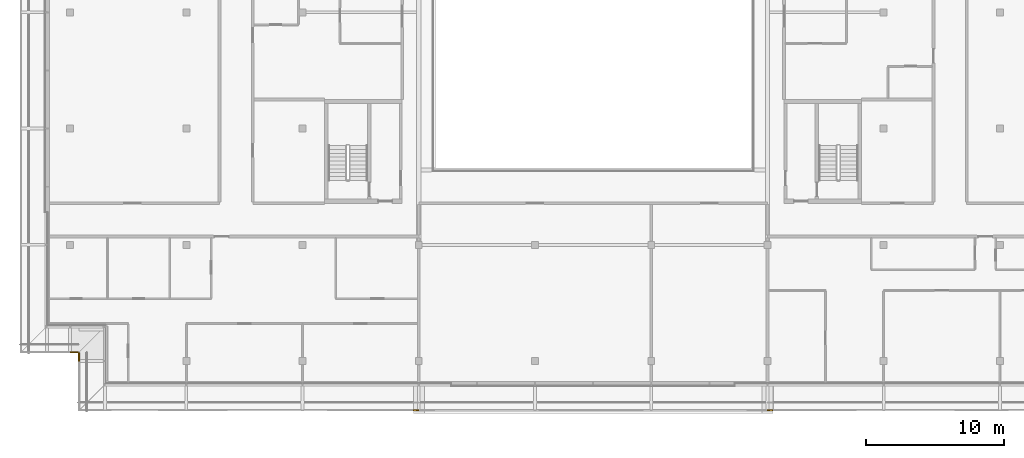
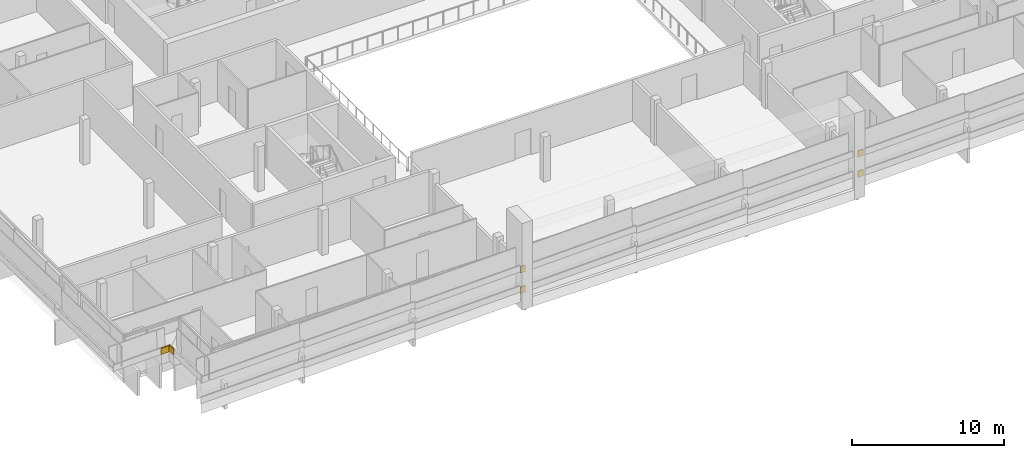
# One storey, part 31 of 33: 6 coverings.
"""IFC4 building model written with IfcOpenShell, lengths in metres."""

from ifc_helpers import new_model, si_unit, direction, frame, origin, place, context, subcontext, project, spatial, polyline, outline, extrude, material, layer, layer_set, type_object, element, save


model = new_model("IFC4")

# Units and contexts
model_context = context("Model", 3, precision=1e-05, world=origin(), true_north=direction((0.0, 1.0)))
body_context = subcontext(model_context, "Body", "Model", "MODEL_VIEW")
ifc_project = project(units=[si_unit("LENGTHUNIT", "METRE"), si_unit("AREAUNIT", "SQUARE_METRE"), si_unit("VOLUMEUNIT", "CUBIC_METRE"), si_unit("PLANEANGLEUNIT", "RADIAN"), si_unit("MASSUNIT", "GRAM", prefix="KILO")], contexts=[model_context])

# Site, building, storey
site_placement = place(None, origin())
site = spatial("IfcSite", under=ifc_project, at=site_placement, CompositionType="ELEMENT")
building_placement = place(site_placement, origin())
building = spatial("IfcBuilding", under=site, at=building_placement, Name="Saffron Gate Tower", CompositionType="ELEMENT")
storey_placement = place(building_placement, frame((0.0, 0.0, 263.550048828125)))
storey = spatial("IfcBuildingStorey", under=building, at=storey_placement, Name="L63", CompositionType="ELEMENT", Elevation=263.550048828125)

# Coverings
ifc_material = material(Name="Timber, thermally modified ash", Category="wood")
ifc_layer = layer(ifc_material, 0.080078125)
ifc_layer_set = layer_set([ifc_layer], Name="LD2 ledge planter trough")
covering_type = type_object("IfcCoveringType", Name="LD2 ledge planter trough", PredefinedType="CLADDING", material=ifc_layer_set)
covering_1_placement = place(storey_placement, frame((74.60009765625, 28.199951171875, 1.1923828125), z_axis=(0.0, -1.0, 0.0), x_axis=(0.999588594726, 0.0, 0.028681724025)))
element("IfcCovering", 1, at=covering_1_placement, inside=storey, type_object=covering_type, Name="LEDGE planter trough", PredefinedType="CLADDING", context=body_context, shape_type="SweptSolid", body=[
    extrude(outline(polyline([(0.0, 0.0), (0.40006693339621563, 0.0), (0.4144077954084678, 0.4997942973631708), (0.014340862012252152, 0.49979429736317077), (0.0, 0.0)])), origin(), (0.0, 0.0, -1.0), 0.080078125),
])
covering_2_placement = place(storey_placement, frame((100.199951171875, 28.199951171875, 1.526611328125), z_axis=(0.0, -1.0, 0.0), x_axis=(0.999589096284, 0.0, 0.028664238881)))
element("IfcCovering", 2, at=covering_2_placement, inside=storey, type_object=covering_type, Name="LEDGE planter trough", PredefinedType="CLADDING", context=body_context, shape_type="SweptSolid", body=[
    extrude(outline(polyline([(0.0, 0.0), (0.40031097364171886, -1.734723475976807e-18), (0.4146430930820291, 0.4997945481418826), (0.014332119440310242, 0.4997945481418827), (0.0, 0.0)])), origin(), (0.0, 0.0, -1.0), 0.080078125),
])
for number, where, z_axis, x_axis, name in (
    (3, (49.800048828125, 32.39990234375, 2.44287109375), (0.0, -1.0, 0.0), (0.999582742162, 0.0, 0.028884971385), "LEDGE planter trough"),
    (4, (50.39990234375, 32.39990234375, 2.52587890625), (-1.0, 0.0, 0.0), (0.0, -0.999582742162, 0.028884971385), "LEDGE planter trough"),
):
    element("IfcCovering", number, at=place(storey_placement, frame(where, z_axis=z_axis, x_axis=x_axis)), inside=storey, type_object=covering_type, Name=name, PredefinedType="CLADDING", context=body_context, shape_type="SweptSolid", body=[
        extrude(outline(polyline([(0.0, 0.0), (0.6001039136866089, 0.0), (0.614546399379222, 0.4997913710809928), (0.014442485692613144, 0.49979137108099286), (0.0, 0.0)])), origin(), (0.0, 0.0, -1.0), 0.080078125),
    ])
covering_3_placement = place(storey_placement, frame((74.60009765625, 28.199951171875, 2.8212890625), z_axis=(0.0, -1.0, 0.0), x_axis=(0.999588594726, 0.0, 0.028681724025)))
element("IfcCovering", 5, at=covering_3_placement, inside=storey, type_object=covering_type, Name="LEDGE planter trough", PredefinedType="CLADDING", context=body_context, shape_type="SweptSolid", body=[
    extrude(outline(polyline([(0.0, 0.0), (0.40006693339621563, 0.0), (0.4144077954084678, 0.4997942973631708), (0.014340862012252152, 0.49979429736317077), (0.0, 0.0)])), origin(), (0.0, 0.0, -1.0), 0.080078125),
])
covering_4_placement = place(storey_placement, frame((100.199951171875, 28.199951171875, 3.155517578125), z_axis=(0.0, -1.0, 0.0), x_axis=(0.999589096284, 0.0, 0.028664238881)))
element("IfcCovering", 6, at=covering_4_placement, inside=storey, type_object=covering_type, Name="LEDGE planter trough", PredefinedType="CLADDING", context=body_context, shape_type="SweptSolid", body=[
    extrude(outline(polyline([(0.0, 0.0), (0.40031097364171886, -1.734723475976807e-18), (0.4146430930820291, 0.4997945481418826), (0.014332119440310242, 0.4997945481418827), (0.0, 0.0)])), origin(), (0.0, 0.0, -1.0), 0.080078125),
])

save(model, "model.ifc")
